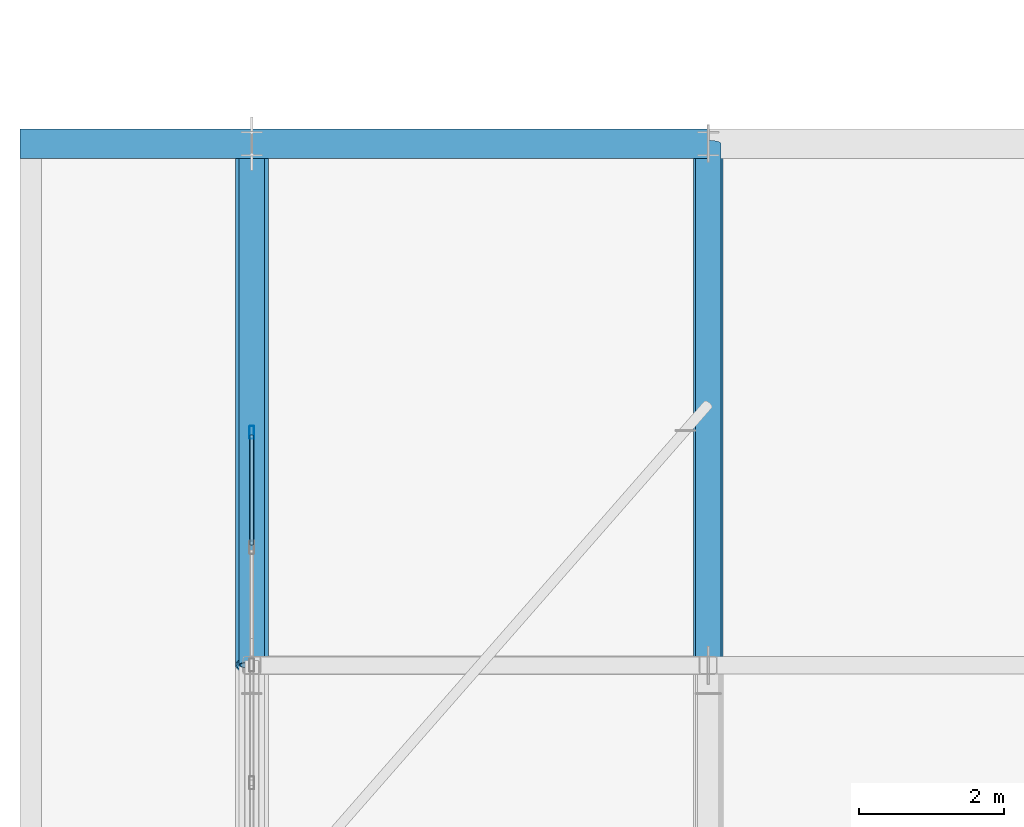
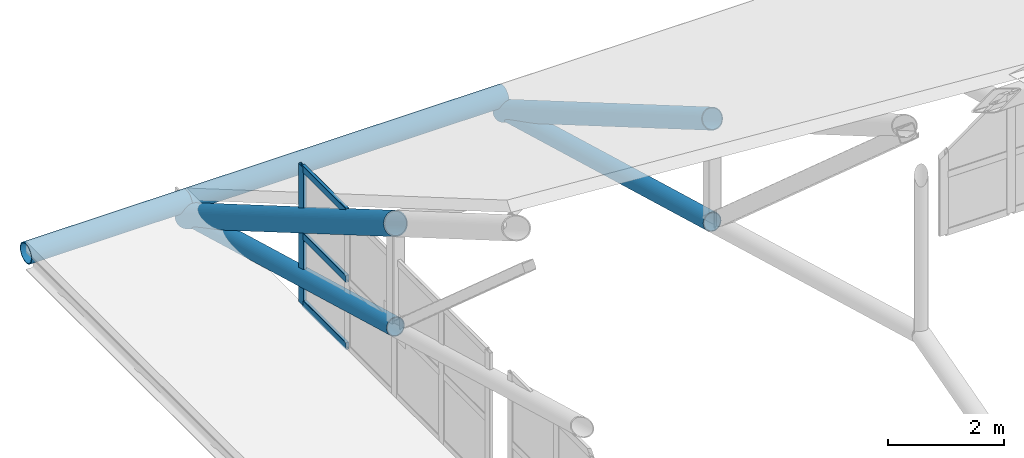
# One storey, part 19 of 54: 10 members, 1 element without a shape of its own.
"""IFC4 building model written with IfcOpenShell, lengths in metres."""

from ifc_helpers import new_model, si_unit, direction, frame, origin, origin_2d, place, context, subcontext, project, spatial, hollow_rectangle, hollow_circle, extrude, material, layer, layer_set, material_profile, profile_set, type_object, element, aggregate, save


model = new_model("IFC4")

# Units and contexts
model_context = context("Model", 3, precision=1e-05, world=origin(), true_north=direction((0.0, 1.0)))
body_context = subcontext(model_context, "Body", "Model", "MODEL_VIEW")
ifc_project = project(units=[si_unit("LENGTHUNIT", "METRE"), si_unit("AREAUNIT", "SQUARE_METRE"), si_unit("VOLUMEUNIT", "CUBIC_METRE"), si_unit("PLANEANGLEUNIT", "RADIAN"), si_unit("MASSUNIT", "GRAM", prefix="KILO")], contexts=[model_context])

# Site, building, storey
site_placement = place(None, origin())
site = spatial("IfcSite", under=ifc_project, at=site_placement, CompositionType="ELEMENT")
building_placement = place(site_placement, origin())
building = spatial("IfcBuilding", under=site, at=building_placement, Name="Zulmaris Art Gallery", CompositionType="ELEMENT")
storey_placement = place(building_placement, frame((0.0, 0.0, 26.39990234375)))
storey = spatial("IfcBuildingStorey", under=building, at=storey_placement, Name="L05", CompositionType="ELEMENT", Elevation=26.39990234375)

# Curtain wall, members
ifc_material_1 = material(Name="Pitched Roof North-Light Clerestory Wall", Category="aluminium")
ifc_layer = layer(ifc_material_1, 0.179931640625)
ifc_layer_set = layer_set([ifc_layer], Name="Pitched Roof North-Light Clerestory Wall")
curtain_wall_type = type_object("IfcCurtainWallType", Name="CW-CW05", PredefinedType="NOTDEFINED", material=ifc_layer_set)
curtain_wall_placement = place(storey_placement, origin())
curtain_wall = element("IfcCurtainWall", 1, at=curtain_wall_placement, inside=storey, type_object=curtain_wall_type, Name="L05 curtain wall 40", PredefinedType="NOTDEFINED")
ifc_material_2 = material(Name="Anodised Bronze Aluminium", Category="aluminium")
ifc_material_profile_1 = material_profile(ifc_material_2, hollow_rectangle(XDim=0.06494140625, YDim=0.179931640625, WallThickness=0.00390625, InnerFilletRadius=0.006103515625, OuterFilletRadius=0.010009765625, at=origin_2d()), Name="ALU 65x180x4")
ifc_profile_set_1 = profile_set([ifc_material_profile_1], Name="Anodised Bronze Aluminium")
member_type_1 = type_object("IfcMemberType", Name="CWMUL-01", PredefinedType="MULLION", material=ifc_profile_set_1)
member_1_placement = place(storey_placement, frame((11.39990234375, 46.41259765625, 0.0), z_axis=(0.0, 0.0, 1.0), x_axis=(-1.0, 0.0, 0.0)))
member_1 = element("IfcMember", 2, at=member_1_placement, type_object=member_type_1, Name="CW05 mullion 5", PredefinedType="MULLION", context=body_context, shape_type="SweptSolid", body=[
    extrude(hollow_rectangle(XDim=0.06494140625, YDim=0.179931640625, WallThickness=0.00390625, InnerFilletRadius=0.006103515625, OuterFilletRadius=0.010009765625, at=origin_2d()), origin(), (0.0, 0.0, 1.0), 2.900146484375),
])
ifc_material_profile_2 = material_profile(ifc_material_2, hollow_rectangle(XDim=0.06494140625, YDim=0.14990234375, WallThickness=0.00390625, InnerFilletRadius=0.006103515625, OuterFilletRadius=0.010009765625, at=origin_2d()), Name="ALU 65x150x4")
ifc_profile_set_2 = profile_set([ifc_material_profile_2], Name="Anodised Bronze Aluminium")
member_type_2 = type_object("IfcMemberType", Name="CWTRN-01", PredefinedType="USERDEFINED", material=ifc_profile_set_2)
member_2_placement = place(storey_placement, frame((11.39990234375, 44.862548828125, 0.03759765625), z_axis=(0.0, 1.0, 0.0), x_axis=(-1.0, 0.0, 0.0)))
member_2 = element("IfcMember", 3, at=member_2_placement, type_object=member_type_2, Name="CW05 transom 4.1", ObjectType="TRANSOM", PredefinedType="USERDEFINED", context=body_context, shape_type="SweptSolid", body=[
    extrude(hollow_rectangle(XDim=0.06494140625, YDim=0.14990234375, WallThickness=0.00390625, InnerFilletRadius=0.006103515625, OuterFilletRadius=0.010009765625, at=origin_2d()), origin(), (0.0, 0.0, 1.0), 1.512451171875),
])
member_3_placement = place(storey_placement, frame((11.39990234375, 44.862548828125, 1.4501953125), z_axis=(0.0, 1.0, 0.0), x_axis=(-1.0, 0.0, 0.0)))
member_3 = element("IfcMember", 4, at=member_3_placement, type_object=member_type_2, Name="CW05 transom 4.2", ObjectType="TRANSOM", PredefinedType="USERDEFINED", context=body_context, shape_type="SweptSolid", body=[
    extrude(hollow_rectangle(XDim=0.06494140625, YDim=0.14990234375, WallThickness=0.00390625, InnerFilletRadius=0.006103515625, OuterFilletRadius=0.010009765625, at=origin_2d()), origin(), (0.0, 0.0, 1.0), 1.512451171875),
])
member_4_placement = place(storey_placement, frame((11.39990234375, 44.862548828125, 2.862548828125), z_axis=(0.0, 1.0, 0.0), x_axis=(-1.0, 0.0, 0.0)))
member_4 = element("IfcMember", 5, at=member_4_placement, type_object=member_type_2, Name="CW05 transom 4.3", ObjectType="TRANSOM", PredefinedType="USERDEFINED", context=body_context, shape_type="SweptSolid", body=[
    extrude(hollow_rectangle(XDim=0.06494140625, YDim=0.14990234375, WallThickness=0.00390625, InnerFilletRadius=0.006103515625, OuterFilletRadius=0.010009765625, at=origin_2d()), origin(), (0.0, 0.0, 1.0), 1.512451171875),
])
aggregate(curtain_wall, [member_1, member_2, member_3, member_4])

# Members
ifc_material_3 = material(Name="Steel S355J2H", Category="steel")
ifc_material_profile_3 = material_profile(ifc_material_3, hollow_circle(Radius=0.177734375, WallThickness=0.01611328125, at=origin_2d()), Name="CHS 355.6x16")
ifc_profile_set_3 = profile_set([ifc_material_profile_3], Name="Steel S355J2H")
member_type_3 = type_object("IfcMemberType", Name="MEM-TC01", PredefinedType="CHORD", material=ifc_profile_set_3)
for number, where, z_axis, x_axis, name in (
    (6, (11.39990234375, 43.199951171875, 1.4501953125), (0.0, 0.963517441554, -0.267645548853), (-1.0, 0.0, 0.0), "Pitched gallery truss TR-R01 bottom chord 4"),
    (7, (17.699951171875, 43.199951171875, 1.4501953125), (0.0, 0.963517441554, -0.267645548853), (-1.0, 0.0, 0.0), "Pitched gallery truss TR-R02 bottom chord 4"),
):
    element("IfcMember", number, at=place(storey_placement, frame(where, z_axis=z_axis, x_axis=x_axis)), inside=storey, type_object=member_type_3, Name=name, PredefinedType="CHORD", context=body_context, shape_type="SweptSolid", body=[
        extrude(hollow_circle(Radius=0.177734375, WallThickness=0.01611328125, at=origin_2d()), origin(), (0.0, 0.0, 1.0), 7.47265625),
    ])
ifc_material_profile_4 = material_profile(ifc_material_3, hollow_circle(Radius=0.203125, WallThickness=0.01611328125, at=origin_2d()), Name="CHS 406.4x16")
ifc_profile_set_4 = profile_set([ifc_material_profile_4], Name="Steel S355J2H")
member_type_4 = type_object("IfcMemberType", Name="MEM-TC02", PredefinedType="CHORD", material=ifc_profile_set_4)
member_5_placement = place(storey_placement, frame((8.199951171875, 50.39990234375, -0.25), z_axis=(1.0, 0.0, 0.0), x_axis=(0.0, 1.0, 0.0)))
element("IfcMember", 8, at=member_5_placement, inside=storey, type_object=member_type_4, Name="Eaves sunshade truss 2 top chord 1", PredefinedType="CHORD", context=body_context, shape_type="SweptSolid", body=[
    extrude(hollow_circle(Radius=0.203125, WallThickness=0.01611328125, at=origin_2d()), origin(), (0.0, 0.0, 1.0), 3.199951171875),
])
member_6_placement = place(storey_placement, frame((11.39990234375, 50.39990234375, -0.25), z_axis=(1.0, 0.0, 0.0), x_axis=(0.0, 1.0, 0.0)))
element("IfcMember", 9, at=member_6_placement, inside=storey, type_object=member_type_4, Name="Eaves sunshade truss 2 top chord 2", PredefinedType="CHORD", context=body_context, shape_type="SweptSolid", body=[
    extrude(hollow_circle(Radius=0.203125, WallThickness=0.01611328125, at=origin_2d()), origin(), (0.0, 0.0, 1.0), 6.300048828125),
])
member_7_placement = place(storey_placement, frame((17.699951171875, 43.199951171875, 3.6201171875), z_axis=(0.0, 0.863779963214, -0.503869204407), x_axis=(-1.0, 0.0, 0.0)))
element("IfcMember", 10, at=member_7_placement, inside=storey, type_object=member_type_4, Name="Pitched gallery truss TR-R02 top chord 4", PredefinedType="CHORD", context=body_context, shape_type="SweptSolid", body=[
    extrude(hollow_circle(Radius=0.203125, WallThickness=0.01611328125, at=origin_2d()), origin(), (0.0, 0.0, 1.0), 8.33544921875),
])
ifc_material_profile_5 = material_profile(ifc_material_3, hollow_circle(Radius=0.228515625, WallThickness=0.02001953125, at=origin_2d()), Name="CHS 457x20")
ifc_profile_set_5 = profile_set([ifc_material_profile_5], Name="Steel S355J2H")
member_type_5 = type_object("IfcMemberType", Name="MEM-TC03", PredefinedType="CHORD", material=ifc_profile_set_5)
member_8_placement = place(storey_placement, frame((11.39990234375, 43.199951171875, 3.6201171875), z_axis=(0.0, 0.863779963214, -0.503869204407), x_axis=(-1.0, 0.0, 0.0)))
element("IfcMember", 11, at=member_8_placement, inside=storey, type_object=member_type_5, Name="Pitched gallery truss TR-R01 top chord 4", PredefinedType="CHORD", context=body_context, shape_type="SweptSolid", body=[
    extrude(hollow_circle(Radius=0.228515625, WallThickness=0.02001953125, at=origin_2d()), origin(), (0.0, 0.0, 1.0), 8.33544921875),
])

save(model, "model.ifc")
